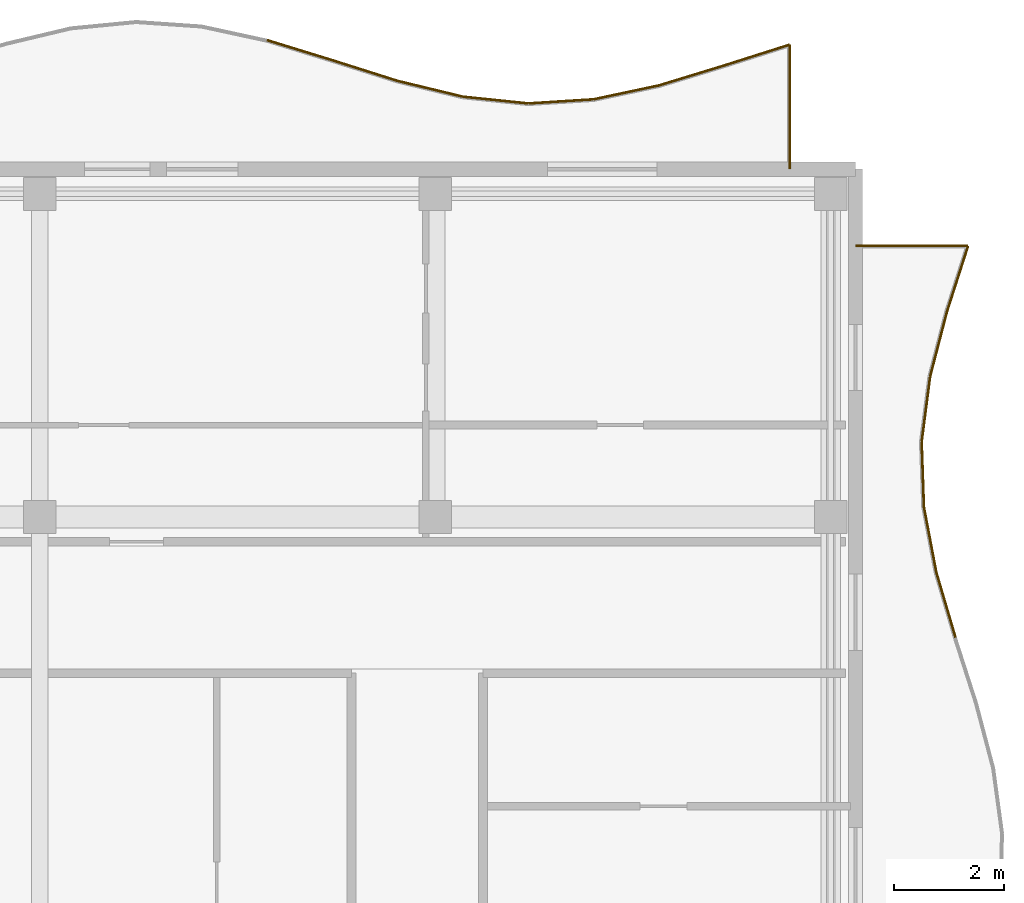
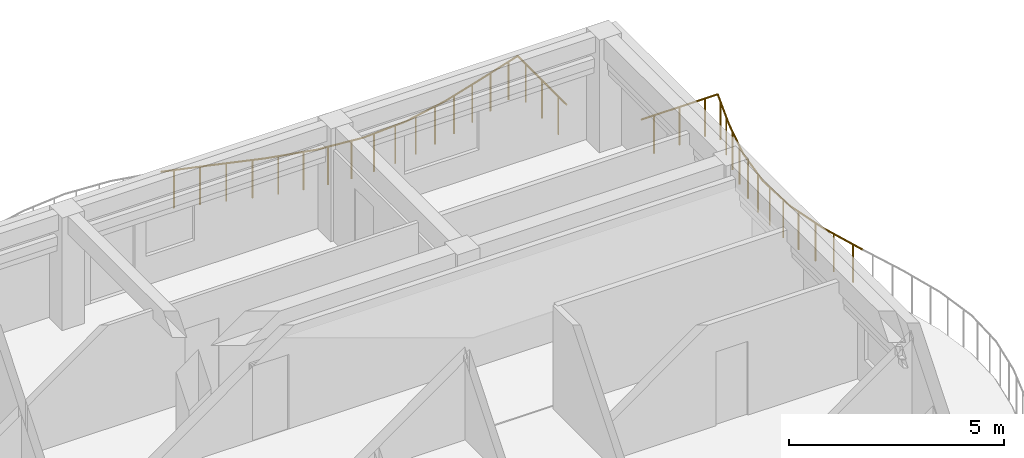
# One storey, part 79 of 79: 16 railings.
"""IFC4 building model written with IfcOpenShell, lengths in metres."""

from ifc_helpers import new_model, si_unit, direction, frame, origin, origin_2d, place, context, subcontext, project, spatial, circle, extrude, material, type_object, element, save


model = new_model("IFC4")

# Units and contexts
model_context = context("Model", 3, precision=1e-05, world=origin(), true_north=direction((0.0, 1.0)))
body_context = subcontext(model_context, "Body", "Model", "MODEL_VIEW")
ifc_project = project(units=[si_unit("LENGTHUNIT", "METRE"), si_unit("AREAUNIT", "SQUARE_METRE"), si_unit("VOLUMEUNIT", "CUBIC_METRE"), si_unit("PLANEANGLEUNIT", "RADIAN"), si_unit("MASSUNIT", "GRAM", prefix="KILO")], contexts=[model_context])

# Site, building, storey
site_placement = place(None, origin())
site = spatial("IfcSite", under=ifc_project, at=site_placement, CompositionType="ELEMENT")
building_placement = place(site_placement, origin())
building = spatial("IfcBuilding", under=site, at=building_placement, Name="Keldmere Railside Commons", CompositionType="ELEMENT")
storey_placement = place(building_placement, frame((0.0, 0.0, 10.56005859375)))
storey = spatial("IfcBuildingStorey", under=building, at=storey_placement, Name="L03", CompositionType="ELEMENT", Elevation=10.56005859375)

# Railings
ifc_material = material(Name="Steel F-24 (S235)", Category="steel")
railing_type = type_object("IfcRailingType", Name="Balcony & Terrace Steel Balustrade 1100", PredefinedType="BALUSTRADE", material=ifc_material)
railing_1_placement = place(storey_placement, frame((173.255126953125, 118.358154296875, 0.0)))
element("IfcRailing", 1, at=railing_1_placement, inside=storey, type_object=railing_type, Name="GR-1 GRD-L03-3444", PredefinedType="BALUSTRADE", context=body_context, shape_type="SweptSolid", body=[
    extrude(circle(Radius=0.02392578125, at=origin_2d()), frame((0.0, 0.0, 1.076171875), z_axis=(0.95581706023, -0.293962152962, 0.0), x_axis=(0.293962152962, 0.95581706023, 0.0)), (0.0, 0.0, 1.0), 1.248291015625),
    extrude(circle(Radius=0.02099609375, at=origin_2d()), frame((0.29833984375, -0.091796875, 0.0)), (0.0, 0.0, 1.0), 1.048095703125),
    extrude(circle(Radius=0.02099609375, at=origin_2d()), frame((0.894775390625, -0.275146484375, 0.0)), (0.0, 0.0, 1.0), 1.048095703125),
])
railing_2_placement = place(storey_placement, frame((174.4482421875, 117.9912109375, 0.0)))
element("IfcRailing", 2, at=railing_2_placement, inside=storey, type_object=railing_type, Name="GR-1 GRD-L03-3445", PredefinedType="BALUSTRADE", context=body_context, shape_type="SweptSolid", body=[
    extrude(circle(Radius=0.02392578125, at=origin_2d()), frame((0.0, 0.0, 1.076171875), z_axis=(0.953316957699, -0.30197148568, 0.0), x_axis=(0.30197148568, 0.953316957699, 0.0)), (0.0, 0.0, 1.0), 1.25146484375),
    extrude(circle(Radius=0.02099609375, at=origin_2d()), frame((0.29833984375, -0.094482421875, 0.0)), (0.0, 0.0, 1.0), 1.048095703125),
    extrude(circle(Radius=0.02099609375, at=origin_2d()), frame((0.894775390625, -0.283447265625, 0.0)), (0.0, 0.0, 1.0), 1.048095703125),
])
railing_3_placement = place(storey_placement, frame((175.641357421875, 117.61328125, 0.0)))
element("IfcRailing", 3, at=railing_3_placement, inside=storey, type_object=railing_type, Name="GR-1 GRD-L03-3446", PredefinedType="BALUSTRADE", context=body_context, shape_type="SweptSolid", body=[
    extrude(circle(Radius=0.02392578125, at=origin_2d()), frame((0.0, 0.0, 1.076171875), z_axis=(0.97197416893, -0.23508767499, 0.0), x_axis=(0.23508767499, 0.97197416893, 0.0)), (0.0, 0.0, 1.0), 1.2275390625),
    extrude(circle(Radius=0.02099609375, at=origin_2d()), frame((0.29833984375, -0.072265625, 0.0)), (0.0, 0.0, 1.0), 1.048095703125),
    extrude(circle(Radius=0.02099609375, at=origin_2d()), frame((0.894775390625, -0.21630859375, 0.0)), (0.0, 0.0, 1.0), 1.048095703125),
])
railing_4_placement = place(storey_placement, frame((176.83447265625, 117.32470703125, 0.0)))
element("IfcRailing", 4, at=railing_4_placement, inside=storey, type_object=railing_type, Name="GR-1 GRD-L03-3447", PredefinedType="BALUSTRADE", context=body_context, shape_type="SweptSolid", body=[
    extrude(circle(Radius=0.02392578125, at=origin_2d()), frame((0.0, 0.0, 1.076171875), z_axis=(0.994703281683, -0.102788041181, 0.0), x_axis=(0.102788041181, 0.994703281683, 0.0)), (0.0, 0.0, 1.0), 1.199462890625),
    extrude(circle(Radius=0.02099609375, at=origin_2d()), frame((0.29833984375, -0.03076171875, 0.0)), (0.0, 0.0, 1.0), 1.048095703125),
    extrude(circle(Radius=0.02099609375, at=origin_2d()), frame((0.894775390625, -0.092529296875, 0.0)), (0.0, 0.0, 1.0), 1.048095703125),
])
railing_5_placement = place(storey_placement, frame((178.027587890625, 117.201416015625, 0.0)))
element("IfcRailing", 5, at=railing_5_placement, inside=storey, type_object=railing_type, Name="GR-1 GRD-L03-3448", PredefinedType="BALUSTRADE", context=body_context, shape_type="SweptSolid", body=[
    extrude(circle(Radius=0.02392578125, at=origin_2d()), frame((0.0, 0.0, 1.076171875), z_axis=(0.998007022183, 0.063102960887, 0.0), x_axis=(-0.063102960887, 0.998007022183, 0.0)), (0.0, 0.0, 1.0), 1.195556640625),
    extrude(circle(Radius=0.02099609375, at=origin_2d()), frame((0.29833984375, 0.018798828125, 0.0)), (0.0, 0.0, 1.0), 1.048095703125),
    extrude(circle(Radius=0.02099609375, at=origin_2d()), frame((0.894775390625, 0.056640625, 0.0)), (0.0, 0.0, 1.0), 1.048095703125),
])
railing_6_placement = place(storey_placement, frame((179.220703125, 117.27685546875, 0.0)))
element("IfcRailing", 6, at=railing_6_placement, inside=storey, type_object=railing_type, Name="GR-1 GRD-L03-3449", PredefinedType="BALUSTRADE", context=body_context, shape_type="SweptSolid", body=[
    extrude(circle(Radius=0.02392578125, at=origin_2d()), frame((0.0, 0.0, 1.076171875), z_axis=(0.978137990073, 0.207956900284, 0.0), x_axis=(-0.207956900284, 0.978137990073, 0.0)), (0.0, 0.0, 1.0), 1.2197265625),
    extrude(circle(Radius=0.02099609375, at=origin_2d()), frame((0.29833984375, 0.0634765625, 0.0)), (0.0, 0.0, 1.0), 1.048095703125),
    extrude(circle(Radius=0.02099609375, at=origin_2d()), frame((0.894775390625, 0.190185546875, 0.0)), (0.0, 0.0, 1.0), 1.048095703125),
])
railing_7_placement = place(storey_placement, frame((180.413818359375, 117.530517578125, 0.0)))
element("IfcRailing", 7, at=railing_7_placement, inside=storey, type_object=railing_type, Name="GR-1 GRD-L03-3450", PredefinedType="BALUSTRADE", context=body_context, shape_type="SweptSolid", body=[
    extrude(circle(Radius=0.02392578125, at=origin_2d()), frame((0.0, 0.0, 1.076171875), z_axis=(0.956310546585, 0.292352763781, 0.0), x_axis=(-0.292352763781, 0.956310546585, 0.0)), (0.0, 0.0, 1.0), 1.24755859375),
    extrude(circle(Radius=0.02099609375, at=origin_2d()), frame((0.29833984375, 0.09130859375, 0.0)), (0.0, 0.0, 1.0), 1.048095703125),
    extrude(circle(Radius=0.02099609375, at=origin_2d()), frame((0.894775390625, 0.2734375, 0.0)), (0.0, 0.0, 1.0), 1.048095703125),
])
railing_8_placement = place(storey_placement, frame((181.60693359375, 117.895263671875, 0.0)))
element("IfcRailing", 8, at=railing_8_placement, inside=storey, type_object=railing_type, Name="GR-1 GRD-L03-3451", PredefinedType="BALUSTRADE", context=body_context, shape_type="SweptSolid", body=[
    extrude(circle(Radius=0.02392578125, at=origin_2d()), frame((0.0, 0.0, 1.076171875), z_axis=(0.952979546331, 0.303034625537, 0.0), x_axis=(-0.303034625537, 0.952979546331, 0.0)), (0.0, 0.0, 1.0), 1.251953125),
    extrude(circle(Radius=0.02099609375, at=origin_2d()), frame((0.29833984375, 0.0947265625, 0.0)), (0.0, 0.0, 1.0), 1.048095703125),
    extrude(circle(Radius=0.02099609375, at=origin_2d()), frame((0.894775390625, 0.28466796875, 0.0)), (0.0, 0.0, 1.0), 1.048095703125),
])
railing_9_placement = place(storey_placement, frame((182.800048828125, 118.274658203125, 0.0)))
element("IfcRailing", 9, at=railing_9_placement, inside=storey, type_object=railing_type, Name="GR-1 GRD-L03-3452", PredefinedType="BALUSTRADE", context=body_context, shape_type="SweptSolid", body=[
    extrude(circle(Radius=0.02392578125, at=origin_2d()), frame((0.0, 0.0, 1.076171875), z_axis=(0.0, -1.0, 0.0), x_axis=(1.0, 0.0, 0.0)), (0.0, 0.0, 1.0), 2.274658203125),
    extrude(circle(Radius=0.02099609375, at=origin_2d()), frame((0.0, -0.379150390625, 0.0)), (0.0, 0.0, 1.0), 1.048095703125),
    extrude(circle(Radius=0.02099609375, at=origin_2d()), frame((0.0, -1.13720703125, 0.0)), (0.0, 0.0, 1.0), 1.048095703125),
    extrude(circle(Radius=0.02099609375, at=origin_2d()), frame((0.0, -1.8955078125, 0.0)), (0.0, 0.0, 1.0), 1.048095703125),
])
railing_10_placement = place(storey_placement, frame((185.827392578125, 107.449951171875, 0.0)))
element("IfcRailing", 10, at=railing_10_placement, inside=storey, type_object=railing_type, Name="GR-1 GRD-L03-3522", PredefinedType="BALUSTRADE", context=body_context, shape_type="SweptSolid", body=[
    extrude(circle(Radius=0.02392578125, at=origin_2d()), frame((0.0, 0.0, 1.076171875), z_axis=(-0.282783343956, 0.959183809486, 0.0), x_axis=(-0.959183809486, -0.282783343956, 0.0)), (0.0, 0.0, 1.0), 1.242431640625),
    extrude(circle(Radius=0.02099609375, at=origin_2d()), frame((-0.087890625, 0.2978515625, 0.0)), (0.0, 0.0, 1.0), 1.048095703125),
    extrude(circle(Radius=0.02099609375, at=origin_2d()), frame((-0.263427734375, 0.893798828125, 0.0)), (0.0, 0.0, 1.0), 1.048095703125),
])
railing_11_placement = place(storey_placement, frame((185.47607421875, 108.6416015625, 0.0)))
element("IfcRailing", 11, at=railing_11_placement, inside=storey, type_object=railing_type, Name="GR-1 GRD-L03-3523", PredefinedType="BALUSTRADE", context=body_context, shape_type="SweptSolid", body=[
    extrude(circle(Radius=0.02392578125, at=origin_2d()), frame((0.0, 0.0, 1.076171875), z_axis=(-0.186390599986, 0.982475721958, 0.0), x_axis=(-0.982475721958, -0.186390599986, 0.0)), (0.0, 0.0, 1.0), 1.212890625),
    extrude(circle(Radius=0.02099609375, at=origin_2d()), frame((-0.056640625, 0.2978515625, 0.0)), (0.0, 0.0, 1.0), 1.048095703125),
    extrude(circle(Radius=0.02099609375, at=origin_2d()), frame((-0.16943359375, 0.893798828125, 0.0)), (0.0, 0.0, 1.0), 1.048095703125),
])
railing_12_placement = place(storey_placement, frame((185.25, 109.833251953125, 0.0)))
element("IfcRailing", 12, at=railing_12_placement, inside=storey, type_object=railing_type, Name="GR-1 GRD-L03-3524", PredefinedType="BALUSTRADE", context=body_context, shape_type="SweptSolid", body=[
    extrude(circle(Radius=0.02392578125, at=origin_2d()), frame((0.0, 0.0, 1.076171875), z_axis=(-0.034603317, 0.999401125901, 0.0), x_axis=(-0.999401125901, -0.034603317, 0.0)), (0.0, 0.0, 1.0), 1.1923828125),
    extrude(circle(Radius=0.02099609375, at=origin_2d()), frame((-0.01025390625, 0.2978515625, 0.0)), (0.0, 0.0, 1.0), 1.048095703125),
    extrude(circle(Radius=0.02099609375, at=origin_2d()), frame((-0.031005859375, 0.893798828125, 0.0)), (0.0, 0.0, 1.0), 1.048095703125),
])
railing_13_placement = place(storey_placement, frame((185.208740234375, 111.02490234375, 0.0)))
element("IfcRailing", 13, at=railing_13_placement, inside=storey, type_object=railing_type, Name="GR-1 GRD-L03-3525", PredefinedType="BALUSTRADE", context=body_context, shape_type="SweptSolid", body=[
    extrude(circle(Radius=0.02392578125, at=origin_2d()), frame((0.0, 0.0, 1.076171875), z_axis=(0.128783392425, 0.991672747349, 0.0), x_axis=(-0.991672747349, 0.128783392425, 0.0)), (0.0, 0.0, 1.0), 1.201904296875),
    extrude(circle(Radius=0.02099609375, at=origin_2d()), frame((0.03857421875, 0.2978515625, 0.0)), (0.0, 0.0, 1.0), 1.048095703125),
    extrude(circle(Radius=0.02099609375, at=origin_2d()), frame((0.1162109375, 0.89404296875, 0.0)), (0.0, 0.0, 1.0), 1.048095703125),
])
railing_14_placement = place(storey_placement, frame((185.363525390625, 112.216796875, 0.0)))
element("IfcRailing", 14, at=railing_14_placement, inside=storey, type_object=railing_type, Name="GR-1 GRD-L03-3526", PredefinedType="BALUSTRADE", context=body_context, shape_type="SweptSolid", body=[
    extrude(circle(Radius=0.02392578125, at=origin_2d()), frame((0.0, 0.0, 1.076171875), z_axis=(0.251671004503, 0.967812846315, 0.0), x_axis=(-0.967812846315, 0.251671004503, 0.0)), (0.0, 0.0, 1.0), 1.23095703125),
    extrude(circle(Radius=0.02099609375, at=origin_2d()), frame((0.077392578125, 0.2978515625, 0.0)), (0.0, 0.0, 1.0), 1.048095703125),
    extrude(circle(Radius=0.02099609375, at=origin_2d()), frame((0.232421875, 0.8935546875, 0.0)), (0.0, 0.0, 1.0), 1.048095703125),
])
railing_15_placement = place(storey_placement, frame((185.67333984375, 113.408203125, 0.0)))
element("IfcRailing", 15, at=railing_15_placement, inside=storey, type_object=railing_type, Name="GR-1 GRD-L03-3527", PredefinedType="BALUSTRADE", context=body_context, shape_type="SweptSolid", body=[
    extrude(circle(Radius=0.02392578125, at=origin_2d()), frame((0.0, 0.0, 1.076171875), z_axis=(0.30597130532, 0.952040734591, 0.0), x_axis=(-0.952040734591, 0.30597130532, 0.0)), (0.0, 0.0, 1.0), 1.251953125),
    extrude(circle(Radius=0.02099609375, at=origin_2d()), frame((0.095703125, 0.2978515625, 0.0)), (0.0, 0.0, 1.0), 1.048095703125),
    extrude(circle(Radius=0.02099609375, at=origin_2d()), frame((0.287353515625, 0.89404296875, 0.0)), (0.0, 0.0, 1.0), 1.048095703125),
])
railing_16_placement = place(storey_placement, frame((186.056396484375, 114.60009765625, 0.0)))
element("IfcRailing", 16, at=railing_16_placement, inside=storey, type_object=railing_type, Name="GR-1 GRD-L03-3528", PredefinedType="BALUSTRADE", context=body_context, shape_type="SweptSolid", body=[
    extrude(circle(Radius=0.02392578125, at=origin_2d()), frame((0.0, 0.0, 1.076171875), z_axis=(-1.0, 0.0, 0.0), x_axis=(0.0, -1.0, 0.0)), (0.0, 0.0, 1.0), 2.056396484375),
    extrude(circle(Radius=0.02099609375, at=origin_2d()), frame((-0.3427734375, 0.0, 0.0)), (0.0, 0.0, 1.0), 1.048095703125),
    extrude(circle(Radius=0.02099609375, at=origin_2d()), frame((-1.0283203125, 0.0, 0.0)), (0.0, 0.0, 1.0), 1.048095703125),
    extrude(circle(Radius=0.02099609375, at=origin_2d()), frame((-1.713623046875, 0.0, 0.0)), (0.0, 0.0, 1.0), 1.048095703125),
])

save(model, "model.ifc")
